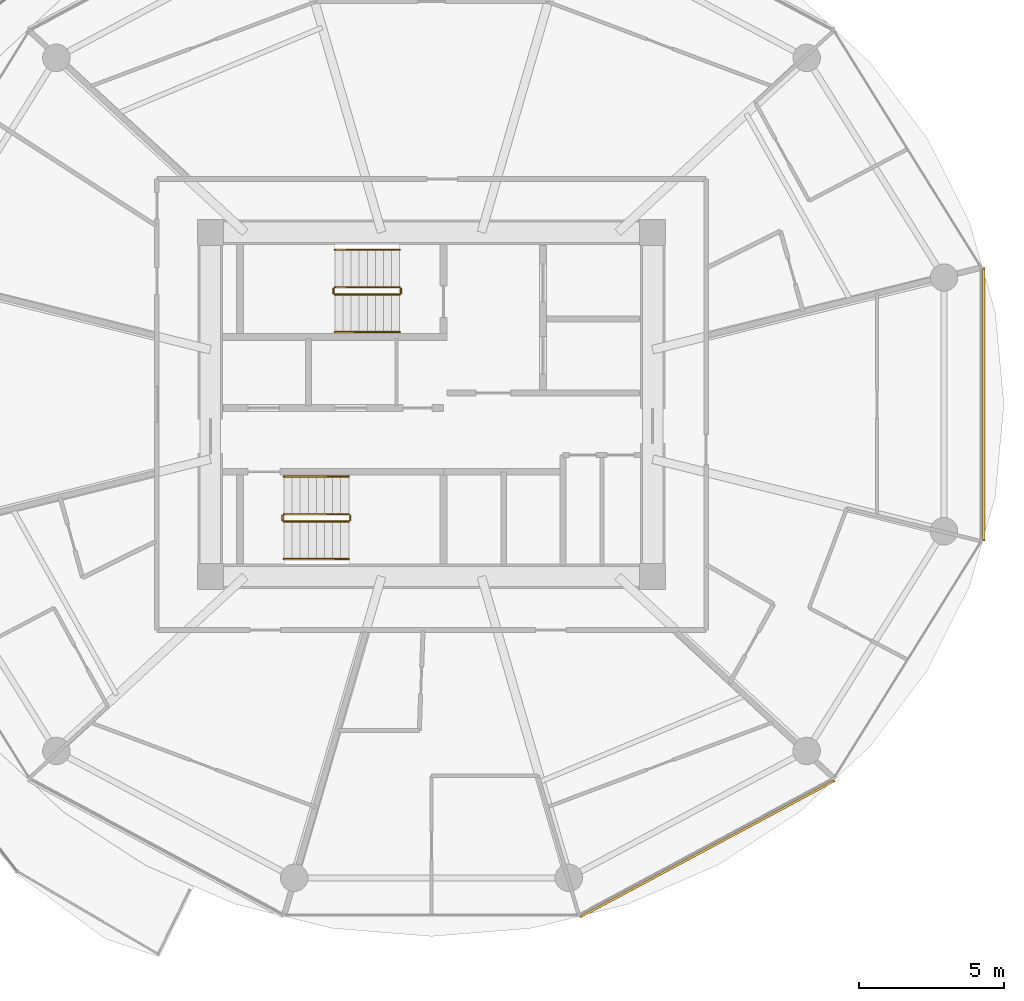
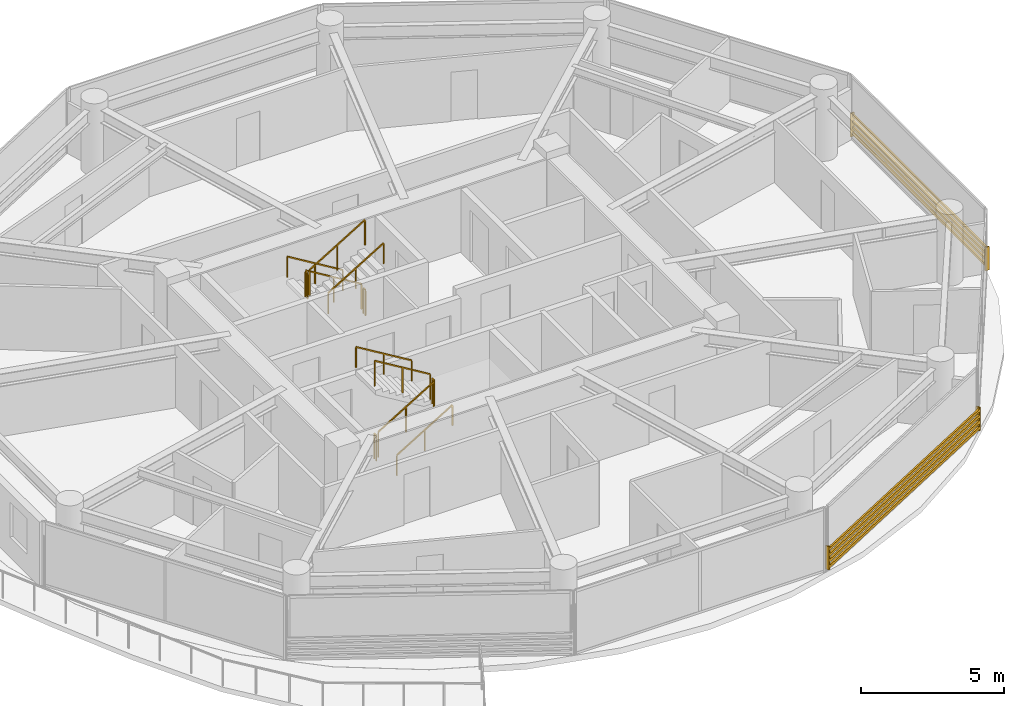
# One storey, part 25 of 26: 12 railings, 2 shading devices.
"""IFC4 building model written with IfcOpenShell, lengths in metres."""

from ifc_helpers import new_model, si_unit, direction, frame, origin, origin_2d, place, context, subcontext, project, spatial, rectangle, extrude, source, transform, mapped, material, type_object, type_shapes, element, save


model = new_model("IFC4")

# Units and contexts
model_context = context("Model", 3, precision=1e-05, world=origin(), true_north=direction((0.0, 1.0)))
body_context = subcontext(model_context, "Body", "Model", "MODEL_VIEW")
ifc_project = project(units=[si_unit("LENGTHUNIT", "METRE"), si_unit("AREAUNIT", "SQUARE_METRE"), si_unit("VOLUMEUNIT", "CUBIC_METRE"), si_unit("PLANEANGLEUNIT", "RADIAN"), si_unit("MASSUNIT", "GRAM", prefix="KILO")], contexts=[model_context])

# Site, building, storey
site_placement = place(None, origin())
site = spatial("IfcSite", under=ifc_project, at=site_placement, CompositionType="ELEMENT")
building_placement = place(site_placement, origin())
building = spatial("IfcBuilding", under=site, at=building_placement, Name="Norrkilde Senior Care Towers", CompositionType="ELEMENT")
storey_placement = place(building_placement, frame((0.0, 0.0, 70.39990234375)))
storey = spatial("IfcBuildingStorey", under=building, at=storey_placement, Name="L21", CompositionType="ELEMENT", Elevation=70.39990234375)

# Railings
ifc_material_1 = material(Name="Stainless Steel", Category="steel")
railing_type_1 = type_object("IfcRailingType", Name="Stair and Terrace Guardrail 1100", PredefinedType="GUARDRAIL", material=ifc_material_1)
railing_1_placement = place(storey_placement, frame((26.89990234375, 4.050048828125, 0.16943359375)))
element("IfcRailing", 1, at=railing_1_placement, inside=storey, type_object=railing_type_1, Name="L21 ST-E1 stair guard 1", PredefinedType="GUARDRAIL", context=body_context, shape_type="SweptSolid", body=[
    extrude(rectangle(XDim=0.048095703125, YDim=0.048095703125, at=origin_2d()), frame((0.0, 0.0, 1.076171875), z_axis=(-0.855512035549, 0.0, 0.517782924622), x_axis=(0.0, -1.0, 0.0)), (0.0, 0.0, 1.0), 2.618408203125),
    extrude(rectangle(XDim=0.0419921875, YDim=0.0419921875, at=origin_2d()), origin(), (0.0, 0.0, 1.0), 1.050048828125),
    extrude(rectangle(XDim=0.0419921875, YDim=0.0419921875, at=origin_2d()), frame((-1.1201171875, 0.0, 0.677734375)), (0.0, 0.0, 1.0), 1.050048828125),
    extrude(rectangle(XDim=0.0419921875, YDim=0.0419921875, at=origin_2d()), frame((-2.239990234375, 0.0, 1.355712890625)), (0.0, 0.0, 1.0), 1.050048828125),
])
railing_2_placement = place(storey_placement, frame((24.610107421875, 4.0, 1.525146484375)))
element("IfcRailing", 2, at=railing_2_placement, inside=storey, type_object=railing_type_1, Name="L21 ST-E1 stair guard 2", PredefinedType="GUARDRAIL", context=body_context, shape_type="SweptSolid", body=[
    extrude(rectangle(XDim=0.048095703125, YDim=0.048095703125, at=origin_2d()), frame((0.0, 0.0, 1.076171875), z_axis=(0.0, -1.0, 0.0), x_axis=(1.0, 0.0, 0.0)), (0.0, 0.0, 1.0), 0.14990234375),
    extrude(rectangle(XDim=0.0419921875, YDim=0.0419921875, at=origin_2d()), origin(), (0.0, 0.0, 1.0), 1.050048828125),
    extrude(rectangle(XDim=0.0419921875, YDim=0.0419921875, at=origin_2d()), frame((0.0, -0.14990234375, 0.0)), (0.0, 0.0, 1.0), 1.050048828125),
])
railing_3_placement = place(storey_placement, frame((24.659912109375, 3.800048828125, 1.694580078125)))
element("IfcRailing", 3, at=railing_3_placement, inside=storey, type_object=railing_type_1, Name="L21 ST-E1 stair guard 3", PredefinedType="GUARDRAIL", context=body_context, shape_type="SweptSolid", body=[
    extrude(rectangle(XDim=0.048095703125, YDim=0.048095703125, at=origin_2d()), frame((0.0, 0.0, 1.076171875), z_axis=(0.855553338991, 0.0, 0.51771467445), x_axis=(0.0, 1.0, 0.0)), (0.0, 0.0, 1.0), 2.6181640625),
    extrude(rectangle(XDim=0.0419921875, YDim=0.0419921875, at=origin_2d()), origin(), (0.0, 0.0, 1.0), 1.050048828125),
    extrude(rectangle(XDim=0.0419921875, YDim=0.0419921875, at=origin_2d()), frame((1.1201171875, 0.0, 0.677734375)), (0.0, 0.0, 1.0), 1.050048828125),
    extrude(rectangle(XDim=0.0419921875, YDim=0.0419921875, at=origin_2d()), frame((2.239990234375, 0.0, 1.35546875)), (0.0, 0.0, 1.0), 1.050048828125),
])
railing_4_placement = place(storey_placement, frame((26.949951171875, 4.0, 0.0)))
element("IfcRailing", 4, at=railing_4_placement, inside=storey, type_object=railing_type_1, Name="L21 ST-E1 stair guard 4", PredefinedType="GUARDRAIL", context=body_context, shape_type="SweptSolid", body=[
    extrude(rectangle(XDim=0.048095703125, YDim=0.048095703125, at=origin_2d()), frame((0.0, 0.0, 1.076171875), z_axis=(0.0, -1.0, 0.0), x_axis=(1.0, 0.0, 0.0)), (0.0, 0.0, 1.0), 0.14990234375),
    extrude(rectangle(XDim=0.0419921875, YDim=0.0419921875, at=origin_2d()), origin(), (0.0, 0.0, 1.0), 1.050048828125),
    extrude(rectangle(XDim=0.0419921875, YDim=0.0419921875, at=origin_2d()), frame((0.0, -0.14990234375, 0.0)), (0.0, 0.0, 1.0), 1.050048828125),
])
railing_5_placement = place(storey_placement, frame((22.89990234375, -4.050048828125, 0.16943359375)))
element("IfcRailing", 5, at=railing_5_placement, inside=storey, type_object=railing_type_1, Name="L21 ST-E2 stair guard 1", PredefinedType="GUARDRAIL", context=body_context, shape_type="SweptSolid", body=[
    extrude(rectangle(XDim=0.048095703125, YDim=0.048095703125, at=origin_2d()), frame((0.0, 0.0, 1.076171875), z_axis=(0.855512035549, 0.0, 0.517782924622), x_axis=(0.0, 1.0, 0.0)), (0.0, 0.0, 1.0), 2.618408203125),
    extrude(rectangle(XDim=0.0419921875, YDim=0.0419921875, at=origin_2d()), origin(), (0.0, 0.0, 1.0), 1.050048828125),
    extrude(rectangle(XDim=0.0419921875, YDim=0.0419921875, at=origin_2d()), frame((1.1201171875, 0.0, 0.677734375)), (0.0, 0.0, 1.0), 1.050048828125),
    extrude(rectangle(XDim=0.0419921875, YDim=0.0419921875, at=origin_2d()), frame((2.239990234375, 0.0, 1.355712890625)), (0.0, 0.0, 1.0), 1.050048828125),
])
railing_6_placement = place(storey_placement, frame((25.18994140625, -4.0, 1.525146484375)))
element("IfcRailing", 6, at=railing_6_placement, inside=storey, type_object=railing_type_1, Name="L21 ST-E2 stair guard 2", PredefinedType="GUARDRAIL", context=body_context, shape_type="SweptSolid", body=[
    extrude(rectangle(XDim=0.048095703125, YDim=0.048095703125, at=origin_2d()), frame((0.0, 0.0, 1.076171875), z_axis=(0.0, 1.0, 0.0), x_axis=(-1.0, 0.0, 0.0)), (0.0, 0.0, 1.0), 0.14990234375),
    extrude(rectangle(XDim=0.0419921875, YDim=0.0419921875, at=origin_2d()), origin(), (0.0, 0.0, 1.0), 1.050048828125),
    extrude(rectangle(XDim=0.0419921875, YDim=0.0419921875, at=origin_2d()), frame((0.0, 0.14990234375, 0.0)), (0.0, 0.0, 1.0), 1.050048828125),
])
railing_7_placement = place(storey_placement, frame((25.139892578125, -3.800048828125, 1.694580078125)))
element("IfcRailing", 7, at=railing_7_placement, inside=storey, type_object=railing_type_1, Name="L21 ST-E2 stair guard 3", PredefinedType="GUARDRAIL", context=body_context, shape_type="SweptSolid", body=[
    extrude(rectangle(XDim=0.048095703125, YDim=0.048095703125, at=origin_2d()), frame((0.0, 0.0, 1.076171875), z_axis=(-0.855553338991, 0.0, 0.51771467445), x_axis=(0.0, -1.0, 0.0)), (0.0, 0.0, 1.0), 2.6181640625),
    extrude(rectangle(XDim=0.0419921875, YDim=0.0419921875, at=origin_2d()), origin(), (0.0, 0.0, 1.0), 1.050048828125),
    extrude(rectangle(XDim=0.0419921875, YDim=0.0419921875, at=origin_2d()), frame((-1.1201171875, 0.0, 0.677734375)), (0.0, 0.0, 1.0), 1.050048828125),
    extrude(rectangle(XDim=0.0419921875, YDim=0.0419921875, at=origin_2d()), frame((-2.239990234375, 0.0, 1.35546875)), (0.0, 0.0, 1.0), 1.050048828125),
])
railing_8_placement = place(storey_placement, frame((22.85009765625, -4.0, 0.0)))
element("IfcRailing", 8, at=railing_8_placement, inside=storey, type_object=railing_type_1, Name="L21 ST-E2 stair guard 4", PredefinedType="GUARDRAIL", context=body_context, shape_type="SweptSolid", body=[
    extrude(rectangle(XDim=0.048095703125, YDim=0.048095703125, at=origin_2d()), frame((0.0, 0.0, 1.076171875), z_axis=(0.0, 1.0, 0.0), x_axis=(-1.0, 0.0, 0.0)), (0.0, 0.0, 1.0), 0.14990234375),
    extrude(rectangle(XDim=0.0419921875, YDim=0.0419921875, at=origin_2d()), origin(), (0.0, 0.0, 1.0), 1.050048828125),
    extrude(rectangle(XDim=0.0419921875, YDim=0.0419921875, at=origin_2d()), frame((0.0, 0.14990234375, 0.0)), (0.0, 0.0, 1.0), 1.050048828125),
])
ifc_material_2 = material(Name="Nordic Ash Timber", Category="wood")
railing_type_2 = type_object("IfcRailingType", Name="Wall and Stair Handrail 900", PredefinedType="HANDRAIL", material=ifc_material_2)
railing_9_placement = place(storey_placement, frame((26.89990234375, 5.35009765625, 0.16943359375)))
element("IfcRailing", 9, at=railing_9_placement, inside=storey, type_object=railing_type_2, Name="L21 ST-E1 stair handrail 1", PredefinedType="HANDRAIL", context=body_context, shape_type="SweptSolid", body=[
    extrude(rectangle(XDim=0.048095703125, YDim=0.048095703125, at=origin_2d()), frame((0.0, 0.0, 0.8759765625), z_axis=(-0.855512035549, 0.0, 0.517782924622), x_axis=(0.0, -1.0, 0.0)), (0.0, 0.0, 1.0), 2.618408203125),
    extrude(rectangle(XDim=0.0419921875, YDim=0.0419921875, at=origin_2d()), origin(), (0.0, 0.0, 1.0), 0.849853515625),
    extrude(rectangle(XDim=0.0419921875, YDim=0.0419921875, at=origin_2d()), frame((-1.1201171875, 0.0, 0.677734375)), (0.0, 0.0, 1.0), 0.849853515625),
    extrude(rectangle(XDim=0.0419921875, YDim=0.0419921875, at=origin_2d()), frame((-2.239990234375, 0.0, 1.355712890625)), (0.0, 0.0, 1.0), 0.849853515625),
])
railing_10_placement = place(storey_placement, frame((24.659912109375, 2.5, 1.694580078125)))
element("IfcRailing", 10, at=railing_10_placement, inside=storey, type_object=railing_type_2, Name="L21 ST-E1 stair handrail 2", PredefinedType="HANDRAIL", context=body_context, shape_type="SweptSolid", body=[
    extrude(rectangle(XDim=0.048095703125, YDim=0.048095703125, at=origin_2d()), frame((0.0, 0.0, 0.8759765625), z_axis=(0.855553338991, 0.0, 0.51771467445), x_axis=(0.0, 1.0, 0.0)), (0.0, 0.0, 1.0), 2.6181640625),
    extrude(rectangle(XDim=0.0419921875, YDim=0.0419921875, at=origin_2d()), origin(), (0.0, 0.0, 1.0), 0.849853515625),
    extrude(rectangle(XDim=0.0419921875, YDim=0.0419921875, at=origin_2d()), frame((1.1201171875, 0.0, 0.677734375)), (0.0, 0.0, 1.0), 0.849853515625),
    extrude(rectangle(XDim=0.0419921875, YDim=0.0419921875, at=origin_2d()), frame((2.239990234375, 0.0, 1.35546875)), (0.0, 0.0, 1.0), 0.849853515625),
])
railing_11_placement = place(storey_placement, frame((22.89990234375, -5.35009765625, 0.16943359375)))
element("IfcRailing", 11, at=railing_11_placement, inside=storey, type_object=railing_type_2, Name="L21 ST-E2 stair handrail 1", PredefinedType="HANDRAIL", context=body_context, shape_type="SweptSolid", body=[
    extrude(rectangle(XDim=0.048095703125, YDim=0.048095703125, at=origin_2d()), frame((0.0, 0.0, 0.8759765625), z_axis=(0.855512035549, 0.0, 0.517782924622), x_axis=(0.0, 1.0, 0.0)), (0.0, 0.0, 1.0), 2.618408203125),
    extrude(rectangle(XDim=0.0419921875, YDim=0.0419921875, at=origin_2d()), origin(), (0.0, 0.0, 1.0), 0.849853515625),
    extrude(rectangle(XDim=0.0419921875, YDim=0.0419921875, at=origin_2d()), frame((1.1201171875, 0.0, 0.677734375)), (0.0, 0.0, 1.0), 0.849853515625),
    extrude(rectangle(XDim=0.0419921875, YDim=0.0419921875, at=origin_2d()), frame((2.239990234375, 0.0, 1.355712890625)), (0.0, 0.0, 1.0), 0.849853515625),
])
railing_12_placement = place(storey_placement, frame((25.139892578125, -2.5, 1.694580078125)))
element("IfcRailing", 12, at=railing_12_placement, inside=storey, type_object=railing_type_2, Name="L21 ST-E2 stair handrail 2", PredefinedType="HANDRAIL", context=body_context, shape_type="SweptSolid", body=[
    extrude(rectangle(XDim=0.048095703125, YDim=0.048095703125, at=origin_2d()), frame((0.0, 0.0, 0.8759765625), z_axis=(-0.855553338991, 0.0, 0.51771467445), x_axis=(0.0, -1.0, 0.0)), (0.0, 0.0, 1.0), 2.6181640625),
    extrude(rectangle(XDim=0.0419921875, YDim=0.0419921875, at=origin_2d()), origin(), (0.0, 0.0, 1.0), 0.849853515625),
    extrude(rectangle(XDim=0.0419921875, YDim=0.0419921875, at=origin_2d()), frame((-1.1201171875, 0.0, 0.677734375)), (0.0, 0.0, 1.0), 0.849853515625),
    extrude(rectangle(XDim=0.0419921875, YDim=0.0419921875, at=origin_2d()), frame((-2.239990234375, 0.0, 1.35546875)), (0.0, 0.0, 1.0), 0.849853515625),
])

# Shading devices
ifc_material_3 = material(Name="Architectural Terracotta", Category="masonry")
shading_device_type = type_object("IfcShadingDeviceType", Name="Horizontal Terracotta Baguette Rack", PredefinedType="USERDEFINED", material=ifc_material_3)
shared_shape_1 = source(origin(), body_context, "Body", "SweptSolid", [
    extrude(rectangle(XDim=0.070068359375, YDim=0.110107421875, at=origin_2d()), frame((0.0, 0.090087890625, 0.125), z_axis=(1.0, 0.0, 0.0), x_axis=(0.0, 1.0, 0.0)), (0.0, 0.0, 1.0), 10.0107421875),
    extrude(rectangle(XDim=0.070068359375, YDim=0.110107421875, at=origin_2d()), frame((0.0, 0.090087890625, 0.375), z_axis=(1.0, 0.0, 0.0), x_axis=(0.0, 1.0, 0.0)), (0.0, 0.0, 1.0), 10.0107421875),
    extrude(rectangle(XDim=0.070068359375, YDim=0.110107421875, at=origin_2d()), frame((0.0, 0.090087890625, 0.625), z_axis=(1.0, 0.0, 0.0), x_axis=(0.0, 1.0, 0.0)), (0.0, 0.0, 1.0), 10.0107421875),
    extrude(rectangle(XDim=0.070068359375, YDim=0.110107421875, at=origin_2d()), frame((0.0, 0.090087890625, 0.875), z_axis=(1.0, 0.0, 0.0), x_axis=(0.0, 1.0, 0.0)), (0.0, 0.0, 1.0), 10.0107421875),
    extrude(rectangle(XDim=0.050048828125, YDim=0.1552734375, at=origin_2d()), frame((0.02490234375, 0.047607421875, 0.0)), (0.0, 0.0, 1.0), 1.0),
    extrude(rectangle(XDim=0.050048828125, YDim=0.1552734375, at=origin_2d()), frame((9.98583984375, 0.047607421875, 0.0)), (0.0, 0.0, 1.0), 1.0),
])
shading_device_1_placement = place(storey_placement, frame((41.915771484375, -12.926025390625, 0.080078125), z_axis=(0.0, 0.0, 1.0), x_axis=(-0.881279875134, -0.472612428056, 0.0)))
element("IfcShadingDevice", 13, at=shading_device_1_placement, inside=storey, type_object=shading_device_type, Name="L21 Drum E Terracotta Baguette Screen 09", ObjectType="BAGUETTE", PredefinedType="USERDEFINED", context=body_context, shape_type="MappedRepresentation", body=[
    mapped(shared_shape_1, transform((0.0, 0.0, 0.0), x_axis=(1.0, 0.0, 0.0), y_axis=(0.0, 1.0, 0.0), z_axis=(0.0, 0.0, 1.0), scale=1.0)),
])
shared_shape_2 = source(origin(), body_context, "Body", "SweptSolid", [
    extrude(rectangle(XDim=0.070068359375, YDim=0.110107421875, at=origin_2d()), frame((0.0, 0.090087890625, 0.125), z_axis=(1.0, 0.0, 0.0), x_axis=(0.0, 1.0, 0.0)), (0.0, 0.0, 1.0), 9.46240234375),
    extrude(rectangle(XDim=0.070068359375, YDim=0.110107421875, at=origin_2d()), frame((0.0, 0.090087890625, 0.375), z_axis=(1.0, 0.0, 0.0), x_axis=(0.0, 1.0, 0.0)), (0.0, 0.0, 1.0), 9.46240234375),
    extrude(rectangle(XDim=0.070068359375, YDim=0.110107421875, at=origin_2d()), frame((0.0, 0.090087890625, 0.625), z_axis=(1.0, 0.0, 0.0), x_axis=(0.0, 1.0, 0.0)), (0.0, 0.0, 1.0), 9.46240234375),
    extrude(rectangle(XDim=0.070068359375, YDim=0.110107421875, at=origin_2d()), frame((0.0, 0.090087890625, 0.875), z_axis=(1.0, 0.0, 0.0), x_axis=(0.0, 1.0, 0.0)), (0.0, 0.0, 1.0), 9.46240234375),
    extrude(rectangle(XDim=0.050048828125, YDim=0.1552734375, at=origin_2d()), frame((0.02490234375, 0.047607421875, 0.0)), (0.0, 0.0, 1.0), 1.0),
    extrude(rectangle(XDim=0.050048828125, YDim=0.1552734375, at=origin_2d()), frame((9.4375, 0.047607421875, 0.0)), (0.0, 0.0, 1.0), 1.0),
])
type_shapes(shading_device_type, [shared_shape_1, shared_shape_2])
shading_device_2_placement = place(storey_placement, frame((47.009521484375, 4.731201171875, 0.080078125), z_axis=(0.0, 0.0, 1.0), x_axis=(0.0, -1.0, 0.0)))
element("IfcShadingDevice", 14, at=shading_device_2_placement, inside=storey, type_object=shading_device_type, Name="L21 Drum E Terracotta Baguette Screen 11", ObjectType="BAGUETTE", PredefinedType="USERDEFINED", context=body_context, shape_type="MappedRepresentation", body=[
    mapped(shared_shape_2, transform((0.0, 0.0, 0.0), x_axis=(1.0, 0.0, 0.0), y_axis=(0.0, 1.0, 0.0), z_axis=(0.0, 0.0, 1.0), scale=1.0)),
])

save(model, "model.ifc")
